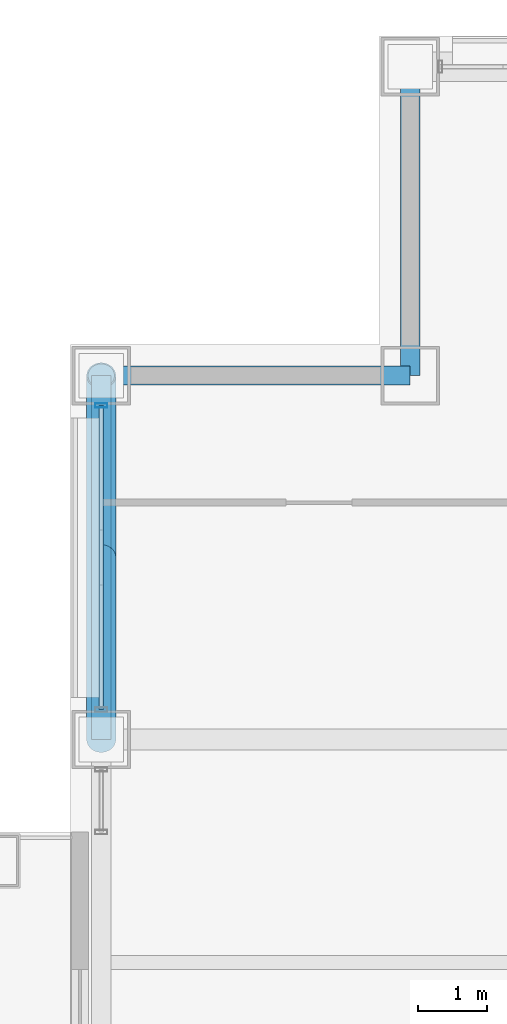
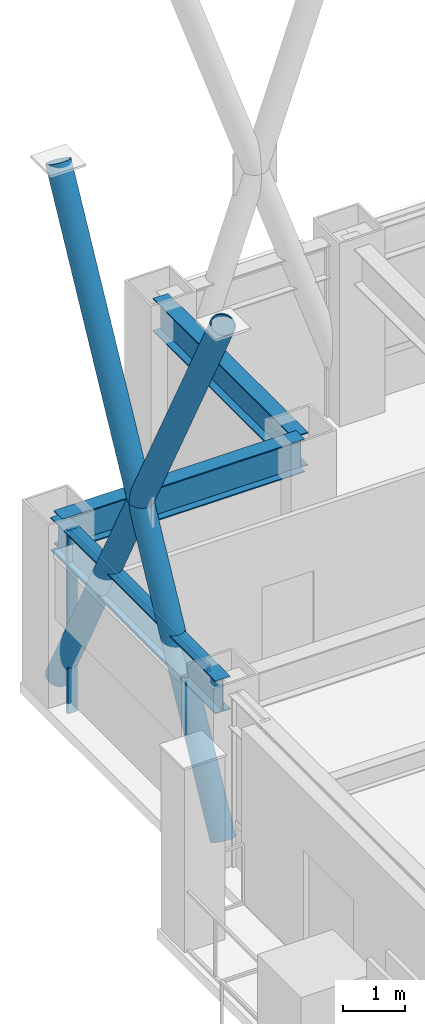
# One storey, part 17 of 32: 5 members, 3 beams, 1 element without a shape of its own.
"""IFC4 building model written with IfcOpenShell, lengths in metres."""

from ifc_helpers import new_model, si_unit, direction, frame, origin, origin_2d, place, context, subcontext, project, spatial, hollow_rectangle, hollow_circle, i_section, extrude, material, layer, layer_set, material_profile, profile_set, type_object, element, aggregate, save


model = new_model("IFC4")

# Units and contexts
model_context = context("Model", 3, precision=1e-05, world=origin(), true_north=direction((0.0, 1.0)))
body_context = subcontext(model_context, "Body", "Model", "MODEL_VIEW")
ifc_project = project(units=[si_unit("LENGTHUNIT", "METRE"), si_unit("AREAUNIT", "SQUARE_METRE"), si_unit("VOLUMEUNIT", "CUBIC_METRE"), si_unit("PLANEANGLEUNIT", "RADIAN"), si_unit("MASSUNIT", "GRAM", prefix="KILO")], contexts=[model_context])

# Site, building, storey
site_placement = place(None, origin())
site = spatial("IfcSite", under=ifc_project, at=site_placement, CompositionType="ELEMENT")
building_placement = place(site_placement, origin())
building = spatial("IfcBuilding", under=site, at=building_placement, Name="Brelmoor Portico Tower", CompositionType="ELEMENT")
storey_placement = place(building_placement, frame((0.0, 0.0, 109.800048828125)))
storey = spatial("IfcBuildingStorey", under=building, at=storey_placement, Name="L28", CompositionType="ELEMENT", Elevation=109.800048828125)

# Beams
ifc_material_1 = material(Name="Steel Q355B", Category="steel")
ifc_material_profile_1 = material_profile(ifc_material_1, i_section(OverallWidth=0.280029296875, OverallDepth=0.64990234375, WebThickness=0.012939453125, FlangeThickness=0.02197265625, at=origin_2d()), Name="HN 650x280x13x22")
ifc_profile_set_1 = profile_set([ifc_material_profile_1], Name="Steel Q355B")
beam_type = type_object("IfcBeamType", Name="BM-SP-650", PredefinedType="SPANDREL", material=ifc_profile_set_1)
beam_1_placement = place(storey_placement, frame((-22.550048828125, 15.050048828125, 3.074951171875), z_axis=(1.0, 0.0, 0.0), x_axis=(0.0, 1.0, 0.0)))
element("IfcBeam", 1, at=beam_1_placement, inside=storey, type_object=beam_type, Name="L28 Perimeter Spandrel Beam SP-08", PredefinedType="SPANDREL", context=body_context, shape_type="SweptSolid", body=[
    extrude(i_section(OverallWidth=0.280029296875, OverallDepth=0.64990234375, WebThickness=0.012939453125, FlangeThickness=0.02197265625, at=origin_2d()), origin(), (0.0, 0.0, 1.0), 4.5),
])
beam_2_placement = place(storey_placement, frame((-22.550048828125, 9.75, 3.074951171875), z_axis=(0.0, 1.0, 0.0), x_axis=(-1.0, 0.0, 0.0)))
element("IfcBeam", 2, at=beam_2_placement, inside=storey, type_object=beam_type, Name="L28 Perimeter Spandrel Beam SP-17", PredefinedType="SPANDREL", context=body_context, shape_type="SweptSolid", body=[
    extrude(i_section(OverallWidth=0.280029296875, OverallDepth=0.64990234375, WebThickness=0.012939453125, FlangeThickness=0.02197265625, at=origin_2d()), origin(), (0.0, 0.0, 1.0), 5.300048828125),
])
beam_3_placement = place(storey_placement, frame((-18.050048828125, 15.050048828125, 3.074951171875), z_axis=(0.0, 1.0, 0.0), x_axis=(-1.0, 0.0, 0.0)))
element("IfcBeam", 3, at=beam_3_placement, inside=storey, type_object=beam_type, Name="L28 Perimeter Spandrel Beam SP-19", PredefinedType="SPANDREL", context=body_context, shape_type="SweptSolid", body=[
    extrude(i_section(OverallWidth=0.280029296875, OverallDepth=0.64990234375, WebThickness=0.012939453125, FlangeThickness=0.02197265625, at=origin_2d()), origin(), (0.0, 0.0, 1.0), 4.5),
])

# Members
ifc_material_profile_2 = material_profile(ifc_material_1, hollow_circle(Radius=0.212890625, WallThickness=0.02001953125, at=origin_2d()), Name="CHS 426x20")
ifc_profile_set_2 = profile_set([ifc_material_profile_2], Name="Steel Q355B")
member_type_1 = type_object("IfcMemberType", Name="MB-BELT-DIAG1", PredefinedType="BRACE", material=ifc_profile_set_2)
member_1_placement = place(storey_placement, frame((-22.550048828125, 9.75, 0.25), z_axis=(0.0, 0.464670709165, 0.885483558314), x_axis=(-1.0, 0.0, 0.0)))
element("IfcMember", 4, at=member_1_placement, inside=storey, type_object=member_type_1, Name="L28 Continuous Mega-X Brace 062A", PredefinedType="BRACE", context=body_context, shape_type="SweptSolid", body=[
    extrude(hollow_circle(Radius=0.212890625, WallThickness=0.02001953125, at=origin_2d()), origin(), (0.0, 0.0, 1.0), 11.406005859375),
])
member_2_placement = place(storey_placement, frame((-22.550048828125, 15.050048828125, 0.25), z_axis=(0.0, -0.464678684729, 0.885479372972), x_axis=(1.0, 0.0, 0.0)))
element("IfcMember", 5, at=member_2_placement, inside=storey, type_object=member_type_1, Name="L28 Split Mega-X Brace 062B1", PredefinedType="BRACE", context=body_context, shape_type="SweptSolid", body=[
    extrude(hollow_circle(Radius=0.212890625, WallThickness=0.02001953125, at=origin_2d()), origin(), (0.0, 0.0, 1.0), 5.703125),
])
member_3_placement = place(storey_placement, frame((-22.550048828125, 12.39990234375, 5.300048828125), z_axis=(0.0, -0.464662733102, 0.885487743826), x_axis=(1.0, 0.0, 0.0)))
element("IfcMember", 6, at=member_3_placement, inside=storey, type_object=member_type_1, Name="L28 Split Mega-X Brace 062B2", PredefinedType="BRACE", context=body_context, shape_type="SweptSolid", body=[
    extrude(hollow_circle(Radius=0.212890625, WallThickness=0.02001953125, at=origin_2d()), origin(), (0.0, 0.0, 1.0), 5.702880859375),
])

# Curtain wall, members
ifc_material_2 = material(Name="Anodised Aluminium Alloy 6063-T6", Category="aluminium")
ifc_layer = layer(ifc_material_2, 0.179931640625)
ifc_layer_set = layer_set([ifc_layer], Name="Anodised Aluminium Alloy 6063-T6")
curtain_wall_type = type_object("IfcCurtainWallType", Name="CW-TOWER-Z2-XB", PredefinedType="NOTDEFINED", material=ifc_layer_set)
curtain_wall_placement = place(storey_placement, origin())
curtain_wall = element("IfcCurtainWall", 7, at=curtain_wall_placement, inside=storey, type_object=curtain_wall_type, Name="L28 Curtain Wall CW-L28-3R-2", PredefinedType="NOTDEFINED")
ifc_material_profile_3 = material_profile(ifc_material_2, hollow_rectangle(XDim=0.06494140625, YDim=0.179931640625, WallThickness=0.00390625, at=origin_2d()), Name="ALU MULLION 65x180")
ifc_profile_set_3 = profile_set([ifc_material_profile_3], Name="Anodised Aluminium Alloy 6063-T6")
member_type_2 = type_object("IfcMemberType", Name="MB-CW-MULL-180", PredefinedType="MULLION", material=ifc_profile_set_3)
member_4_placement = place(storey_placement, frame((-22.550048828125, 14.614990234375, -0.199951171875), z_axis=(0.0, 0.0, 1.0), x_axis=(0.0, 1.0, 0.0)))
member_4 = element("IfcMember", 8, at=member_4_placement, type_object=member_type_2, Name="CW-L28-3R-2 Mullion 01", PredefinedType="MULLION", context=body_context, shape_type="SweptSolid", body=[
    extrude(hollow_rectangle(XDim=0.06494140625, YDim=0.179931640625, WallThickness=0.00390625, at=origin_2d()), origin(), (0.0, 0.0, 1.0), 3.599853515625),
])
ifc_material_profile_4 = material_profile(ifc_material_2, hollow_rectangle(XDim=0.06494140625, YDim=0.139892578125, WallThickness=0.00390625, at=origin_2d()), Name="ALU TRANSOM 65x140")
ifc_profile_set_4 = profile_set([ifc_material_profile_4], Name="Anodised Aluminium Alloy 6063-T6")
member_type_3 = type_object("IfcMemberType", Name="MB-CW-TRAN-140", PredefinedType="USERDEFINED", material=ifc_profile_set_4)
member_5_placement = place(storey_placement, frame((-22.550048828125, 10.18505859375, 3.329833984375), z_axis=(0.0, 1.0, 0.0), x_axis=(-1.0, 0.0, 0.0)))
member_5 = element("IfcMember", 9, at=member_5_placement, type_object=member_type_3, Name="CW-L28-3R-2 Transom 1-00", ObjectType="TRANSOM", PredefinedType="USERDEFINED", context=body_context, shape_type="SweptSolid", body=[
    extrude(hollow_rectangle(XDim=0.06494140625, YDim=0.139892578125, WallThickness=0.00390625, at=origin_2d()), origin(), (0.0, 0.0, 1.0), 4.429931640625),
])
aggregate(curtain_wall, [member_4, member_5])

save(model, "model.ifc")
